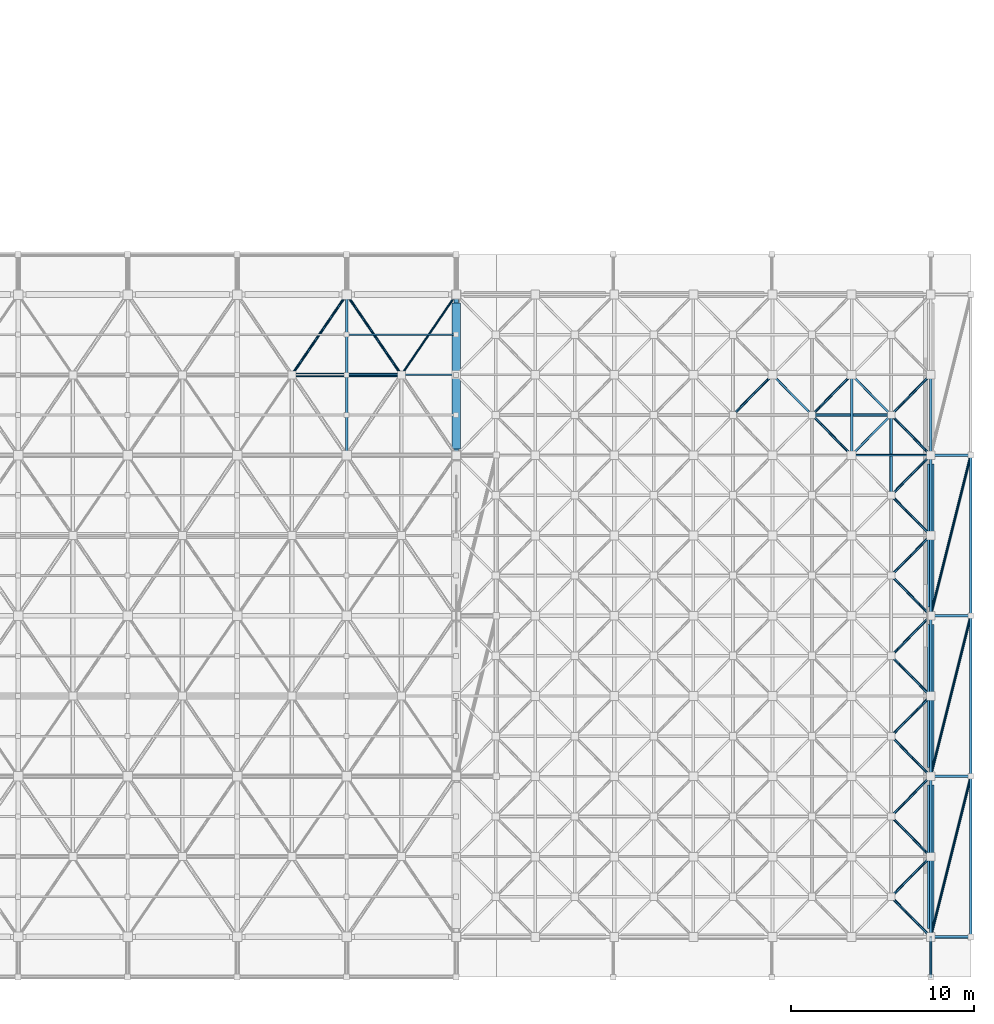
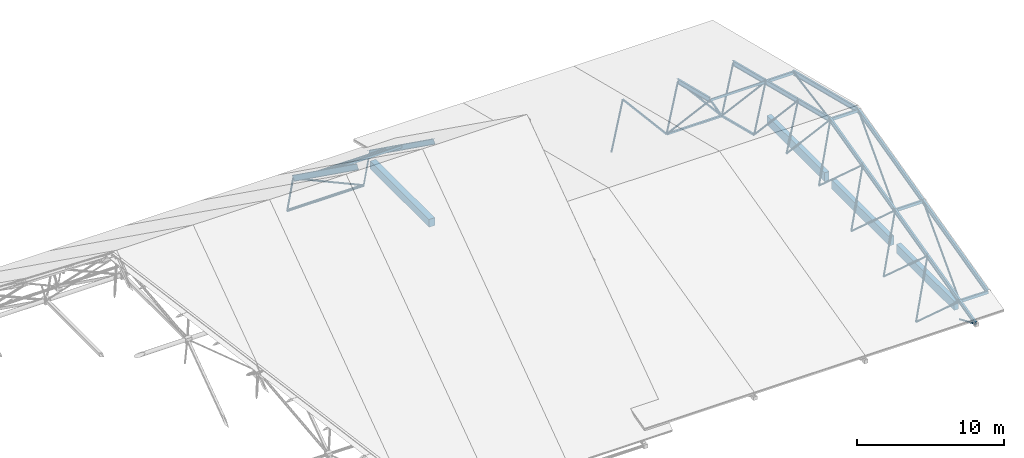
# One storey, part 31 of 55: 51 members, 4 beams.
"""IFC4 building model written with IfcOpenShell, lengths in metres."""

from ifc_helpers import new_model, si_unit, direction, frame, origin, origin_2d, place, context, subcontext, project, spatial, rectangle, hollow_rectangle, hollow_circle, i_section, extrude, material, material_profile, profile_set, type_object, element, save


model = new_model("IFC4")

# Units and contexts
model_context = context("Model", 3, precision=1e-05, world=origin(), true_north=direction((0.0, 1.0)))
body_context = subcontext(model_context, "Body", "Model", "MODEL_VIEW")
ifc_project = project(units=[si_unit("LENGTHUNIT", "METRE"), si_unit("AREAUNIT", "SQUARE_METRE"), si_unit("VOLUMEUNIT", "CUBIC_METRE"), si_unit("PLANEANGLEUNIT", "RADIAN"), si_unit("MASSUNIT", "GRAM", prefix="KILO")], contexts=[model_context])

# Site, building, storey
site_placement = place(None, origin())
site = spatial("IfcSite", under=ifc_project, at=site_placement, CompositionType="ELEMENT")
building_placement = place(site_placement, origin())
building = spatial("IfcBuilding", under=site, at=building_placement, Name="Varnakota Cinema and Media Centre", CompositionType="ELEMENT")
storey_placement = place(building_placement, frame((0.0, 0.0, 15.60009765625)))
storey = spatial("IfcBuildingStorey", under=building, at=storey_placement, Name="L04", CompositionType="ELEMENT", Elevation=15.60009765625)

# Beams
ifc_material_1 = material(Name="Concrete M35", Category="concrete")
ifc_material_profile_1 = material_profile(ifc_material_1, rectangle(XDim=0.449951171875, YDim=0.64990234375, at=origin_2d()), Name="RCB 450x650")
ifc_profile_set_1 = profile_set([ifc_material_profile_1], Name="Concrete M35")
beam_type_1 = type_object("IfcBeamType", Name="BM-RC-450x650", PredefinedType="BEAM", material=ifc_profile_set_1)
beam_1_placement = place(storey_placement, frame((135.0, 26.72509765625, -0.3251953125), z_axis=(0.0, 1.0, 0.0), x_axis=(-1.0, 0.0, 0.0)))
element("IfcBeam", 1, at=beam_1_placement, inside=storey, type_object=beam_type_1, Name="L04 girder V/4-5", PredefinedType="BEAM", context=body_context, shape_type="SweptSolid", body=[
    extrude(rectangle(XDim=0.449951171875, YDim=0.64990234375, at=origin_2d()), origin(), (0.0, 0.0, 1.0), 8.0),
])
ifc_material_2 = material(Name="Concrete M40", Category="concrete")
ifc_material_profile_2 = material_profile(ifc_material_2, rectangle(XDim=0.35009765625, YDim=0.75, at=origin_2d()), Name="RCB 350x750")
ifc_profile_set_2 = profile_set([ifc_material_profile_2], Name="Concrete M40")
beam_type_2 = type_object("IfcBeamType", Name="BM-SP-350x750", PredefinedType="SPANDREL", material=ifc_profile_set_2)
beam_2_placement = place(storey_placement, frame((161.0, 0.47509765625, -0.375), z_axis=(0.0, 1.0, 0.0), x_axis=(-1.0, 0.0, 0.0)))
element("IfcBeam", 2, at=beam_2_placement, inside=storey, type_object=beam_type_2, Name="L04 girder Y/1-2", PredefinedType="SPANDREL", context=body_context, shape_type="SweptSolid", body=[
    extrude(rectangle(XDim=0.35009765625, YDim=0.75, at=origin_2d()), origin(), (0.0, 0.0, 1.0), 7.849853515625),
])
for number, where, z_axis, x_axis, name in (
    (3, (161.0, 9.27490234375, -0.375), (0.0, 1.0, 0.0), (-1.0, 0.0, 0.0), "L04 girder Y/2-3"),
    (4, (161.0, 18.074951171875, -0.375), (0.0, 1.0, 0.0), (-1.0, 0.0, 0.0), "L04 girder Y/3-4"),
):
    element("IfcBeam", number, at=place(storey_placement, frame(where, z_axis=z_axis, x_axis=x_axis)), inside=storey, type_object=beam_type_2, Name=name, PredefinedType="SPANDREL", context=body_context, shape_type="SweptSolid", body=[
        extrude(rectangle(XDim=0.35009765625, YDim=0.75, at=origin_2d()), origin(), (0.0, 0.0, 1.0), 7.85009765625),
    ])

# Members
ifc_material_3 = material(Name="Structural steel S355 (YSt 355)", Category="steel")
ifc_material_profile_3 = material_profile(ifc_material_3, hollow_circle(Radius=0.05712890625, WallThickness=0.00537109375, at=origin_2d()), Name="CHS 114.3x5.4")
ifc_profile_set_3 = profile_set([ifc_material_profile_3], Name="Structural steel S355 (YSt 355)")
member_type_1 = type_object("IfcMemberType", Name="MEM-ST-CHS114_3x5_4", PredefinedType="BRACE", material=ifc_profile_set_3)
member_1_placement = place(storey_placement, frame((132.0, 30.800048828125, 1.349853515625), z_axis=(0.552703271274, 0.810613472892, -0.193455140767), x_axis=(-0.826221523208, 0.563345359959, 0.0)))
element("IfcMember", 5, at=member_1_placement, inside=storey, type_object=member_type_1, Name="V1 space-frame diagonal 10.4.4", PredefinedType="BRACE", context=body_context, shape_type="SweptSolid", body=[
    extrude(hollow_circle(Radius=0.05712890625, WallThickness=0.00537109375, at=origin_2d()), origin(), (0.0, 0.0, 1.0), 5.427978515625),
])
ifc_material_4 = material(Name="Structural steel S355 (YSt 355)", Category="steel")
ifc_material_profile_4 = material_profile(ifc_material_4, hollow_circle(Radius=0.06982421875, WallThickness=0.006103515625, at=origin_2d()), Name="CHS 139.7x6.0")
ifc_profile_set_4 = profile_set([ifc_material_profile_4], Name="Structural steel S355 (YSt 355)")
member_type_2 = type_object("IfcMemberType", Name="MEM-ST-CHS139_7x6_0", PredefinedType="CHORD", material=ifc_profile_set_4)
for number, where, z_axis, x_axis, name in (
    (6, (126.0, 30.800048828125, 1.349853515625), (0.552703271274, 0.810613472892, -0.193455140767), (-0.826221523208, 0.563345359959, 0.0), "V1 space-frame diagonal 9.4.4"),
    (7, (132.0, 30.800048828125, 1.349853515625), (-0.552703271274, 0.810613472892, -0.193455140767), (-0.826221523208, -0.563345359959, 0.0), "V1 space-frame diagonal 10.4.3"),
):
    element("IfcMember", number, at=place(storey_placement, frame(where, z_axis=z_axis, x_axis=x_axis)), inside=storey, type_object=member_type_2, Name=name, PredefinedType="CHORD", context=body_context, shape_type="SweptSolid", body=[
        extrude(hollow_circle(Radius=0.06982421875, WallThickness=0.006103515625, at=origin_2d()), origin(), (0.0, 0.0, 1.0), 5.427978515625),
    ])
member_2_placement = place(storey_placement, frame((150.166748046875, 28.60009765625, -0.9501953125), z_axis=(0.562704581049, 0.571391816523, 0.59739011247), x_axis=(-0.712502351494, 0.701669722246, 0.0)))
element("IfcMember", 8, at=member_2_placement, inside=storey, type_object=member_type_2, Name="V2 space-truss diagonal 4.7.4", PredefinedType="CHORD", context=body_context, shape_type="SweptSolid", body=[
    extrude(hollow_circle(Radius=0.06982421875, WallThickness=0.006103515625, at=origin_2d()), origin(), (0.0, 0.0, 1.0), 3.85009765625),
])
member_3_placement = place(storey_placement, frame((154.5, 28.60009765625, -0.9501953125), z_axis=(0.471738843265, -0.479020896395, 0.740271196638), x_axis=(0.712501750553, 0.701670332463, 0.0)))
element("IfcMember", 9, at=member_3_placement, inside=storey, type_object=member_type_2, Name="V2 space-truss diagonal 5.7.2", PredefinedType="CHORD", context=body_context, shape_type="SweptSolid", body=[
    extrude(hollow_circle(Radius=0.06982421875, WallThickness=0.006103515625, at=origin_2d()), origin(), (0.0, 0.0, 1.0), 4.593017578125),
])
for number, where, z_axis, x_axis, name in (
    (10, (154.5, 28.60009765625, -0.9501953125), (0.562747911139, 0.571371428425, 0.597368796714), (-0.712462822052, 0.701709859695, 0.0), "V2 space-truss diagonal 5.7.4"),
    (11, (158.833251953125, 2.199951171875, -2.050048828125), (0.562747911139, -0.571371428425, 0.597368796714), (0.712462822052, 0.701709859695, 0.0), "V2 space-truss diagonal 6.1.2"),
):
    element("IfcMember", number, at=place(storey_placement, frame(where, z_axis=z_axis, x_axis=x_axis)), inside=storey, type_object=member_type_2, Name=name, PredefinedType="CHORD", context=body_context, shape_type="SweptSolid", body=[
        extrude(hollow_circle(Radius=0.06982421875, WallThickness=0.006103515625, at=origin_2d()), origin(), (0.0, 0.0, 1.0), 3.850341796875),
    ])
member_4_placement = place(storey_placement, frame((158.833251953125, 2.199951171875, -2.050048828125), z_axis=(0.47176941823, 0.478998786216, 0.74026601896), x_axis=(-0.712462822052, 0.701709859695, 0.0)))
element("IfcMember", 12, at=member_4_placement, inside=storey, type_object=member_type_2, Name="V2 space-truss diagonal 6.1.4", PredefinedType="CHORD", context=body_context, shape_type="SweptSolid", body=[
    extrude(hollow_circle(Radius=0.06982421875, WallThickness=0.006103515625, at=origin_2d()), origin(), (0.0, 0.0, 1.0), 4.5927734375),
])
member_5_placement = place(storey_placement, frame((158.833251953125, 6.60009765625, -0.9501953125), z_axis=(0.56272752296, -0.571414133737, 0.597347154232), x_axis=(0.712501750553, 0.701670332463, 0.0)))
element("IfcMember", 13, at=member_5_placement, inside=storey, type_object=member_type_2, Name="V2 space-truss diagonal 6.2.2", PredefinedType="CHORD", context=body_context, shape_type="SweptSolid", body=[
    extrude(hollow_circle(Radius=0.06982421875, WallThickness=0.006103515625, at=origin_2d()), origin(), (0.0, 0.0, 1.0), 3.850341796875),
])
member_6_placement = place(storey_placement, frame((158.833251953125, 6.60009765625, -0.9501953125), z_axis=(0.47175085434, 0.478979937854, 0.740290044889), x_axis=(-0.712462822052, 0.701709859695, 0.0)))
element("IfcMember", 14, at=member_6_placement, inside=storey, type_object=member_type_2, Name="V2 space-truss diagonal 6.2.4", PredefinedType="CHORD", context=body_context, shape_type="SweptSolid", body=[
    extrude(hollow_circle(Radius=0.06982421875, WallThickness=0.006103515625, at=origin_2d()), origin(), (0.0, 0.0, 1.0), 4.593017578125),
])
member_7_placement = place(storey_placement, frame((158.833251953125, 11.0, 0.14990234375), z_axis=(0.562747911139, -0.571371428425, 0.597368796714), x_axis=(0.712462822052, 0.701709859695, 0.0)))
element("IfcMember", 15, at=member_7_placement, inside=storey, type_object=member_type_2, Name="V2 space-truss diagonal 6.3.2", PredefinedType="CHORD", context=body_context, shape_type="SweptSolid", body=[
    extrude(hollow_circle(Radius=0.06982421875, WallThickness=0.006103515625, at=origin_2d()), origin(), (0.0, 0.0, 1.0), 3.850341796875),
])
member_8_placement = place(storey_placement, frame((158.833251953125, 11.0, 0.14990234375), z_axis=(0.47176941823, 0.478998786216, 0.74026601896), x_axis=(-0.712462822052, 0.701709859695, 0.0)))
element("IfcMember", 16, at=member_8_placement, inside=storey, type_object=member_type_2, Name="V2 space-truss diagonal 6.3.4", PredefinedType="CHORD", context=body_context, shape_type="SweptSolid", body=[
    extrude(hollow_circle(Radius=0.06982421875, WallThickness=0.006103515625, at=origin_2d()), origin(), (0.0, 0.0, 1.0), 4.5927734375),
])
member_9_placement = place(storey_placement, frame((158.833251953125, 15.39990234375, 1.25), z_axis=(0.562769227034, -0.571393070964, 0.597328013371), x_axis=(0.712462822052, 0.701709859695, 0.0)))
element("IfcMember", 17, at=member_9_placement, inside=storey, type_object=member_type_2, Name="V2 space-truss diagonal 6.4.2", PredefinedType="CHORD", context=body_context, shape_type="SweptSolid", body=[
    extrude(hollow_circle(Radius=0.06982421875, WallThickness=0.006103515625, at=origin_2d()), origin(), (0.0, 0.0, 1.0), 3.85009765625),
])
member_10_placement = place(storey_placement, frame((158.833251953125, 15.39990234375, 1.25), z_axis=(0.471757405737, 0.479039745409, 0.740247169836), x_axis=(-0.712501750553, 0.701670332463, 0.0)))
element("IfcMember", 18, at=member_10_placement, inside=storey, type_object=member_type_2, Name="V2 space-truss diagonal 6.4.4", PredefinedType="CHORD", context=body_context, shape_type="SweptSolid", body=[
    extrude(hollow_circle(Radius=0.06982421875, WallThickness=0.006103515625, at=origin_2d()), origin(), (0.0, 0.0, 1.0), 4.593017578125),
])
member_11_placement = place(storey_placement, frame((158.833251953125, 19.800048828125, 1.25), z_axis=(0.47176941823, -0.478998786216, 0.74026601896), x_axis=(0.712462822052, 0.701709859695, 0.0)))
element("IfcMember", 19, at=member_11_placement, inside=storey, type_object=member_type_2, Name="V2 space-truss diagonal 6.5.2", PredefinedType="CHORD", context=body_context, shape_type="SweptSolid", body=[
    extrude(hollow_circle(Radius=0.06982421875, WallThickness=0.006103515625, at=origin_2d()), origin(), (0.0, 0.0, 1.0), 4.5927734375),
])
member_12_placement = place(storey_placement, frame((158.833251953125, 19.800048828125, 1.25), z_axis=(0.562769227034, 0.571393070964, 0.597328013371), x_axis=(-0.712462822052, 0.701709859695, 0.0)))
element("IfcMember", 20, at=member_12_placement, inside=storey, type_object=member_type_2, Name="V2 space-truss diagonal 6.5.4", PredefinedType="CHORD", context=body_context, shape_type="SweptSolid", body=[
    extrude(hollow_circle(Radius=0.06982421875, WallThickness=0.006103515625, at=origin_2d()), origin(), (0.0, 0.0, 1.0), 3.85009765625),
])
member_13_placement = place(storey_placement, frame((158.833251953125, 24.199951171875, 0.14990234375), z_axis=(0.47176941823, -0.478998786216, 0.74026601896), x_axis=(0.712462822052, 0.701709859695, 0.0)))
element("IfcMember", 21, at=member_13_placement, inside=storey, type_object=member_type_2, Name="V2 space-truss diagonal 6.6.2", PredefinedType="CHORD", context=body_context, shape_type="SweptSolid", body=[
    extrude(hollow_circle(Radius=0.06982421875, WallThickness=0.006103515625, at=origin_2d()), origin(), (0.0, 0.0, 1.0), 4.5927734375),
])
member_14_placement = place(storey_placement, frame((158.833251953125, 24.199951171875, 0.14990234375), z_axis=(0.562747911139, 0.571371428425, 0.597368796714), x_axis=(-0.712462822052, 0.701709859695, 0.0)))
element("IfcMember", 22, at=member_14_placement, inside=storey, type_object=member_type_2, Name="V2 space-truss diagonal 6.6.4", PredefinedType="CHORD", context=body_context, shape_type="SweptSolid", body=[
    extrude(hollow_circle(Radius=0.06982421875, WallThickness=0.006103515625, at=origin_2d()), origin(), (0.0, 0.0, 1.0), 3.850341796875),
])
member_15_placement = place(storey_placement, frame((158.833251953125, 28.60009765625, -0.9501953125), z_axis=(0.471738843265, -0.479020896395, 0.740271196638), x_axis=(0.712501750553, 0.701670332463, 0.0)))
element("IfcMember", 23, at=member_15_placement, inside=storey, type_object=member_type_2, Name="V2 space-truss diagonal 6.7.2", PredefinedType="CHORD", context=body_context, shape_type="SweptSolid", body=[
    extrude(hollow_circle(Radius=0.06982421875, WallThickness=0.006103515625, at=origin_2d()), origin(), (0.0, 0.0, 1.0), 4.593017578125),
])
member_16_placement = place(storey_placement, frame((158.833251953125, 28.60009765625, -0.9501953125), z_axis=(0.562747911139, 0.571371428425, 0.597368796714), x_axis=(-0.712462822052, 0.701709859695, 0.0)))
element("IfcMember", 24, at=member_16_placement, inside=storey, type_object=member_type_2, Name="V2 space-truss diagonal 6.7.4", PredefinedType="CHORD", context=body_context, shape_type="SweptSolid", body=[
    extrude(hollow_circle(Radius=0.06982421875, WallThickness=0.006103515625, at=origin_2d()), origin(), (0.0, 0.0, 1.0), 3.850341796875),
])
member_17_placement = place(storey_placement, frame((161.0, 0.0, -1.25), z_axis=(0.0, -0.918066567186, 0.396426258231), x_axis=(1.0, 0.0, 0.0)))
element("IfcMember", 25, at=member_17_placement, inside=storey, type_object=member_type_2, Name="V2 S eave raking strut 3", PredefinedType="CHORD", context=body_context, shape_type="SweptSolid", body=[
    extrude(hollow_circle(Radius=0.06982421875, WallThickness=0.006103515625, at=origin_2d()), origin(), (0.0, 0.0, 1.0), 2.396240234375),
])
for number, where, z_axis, x_axis, name in (
    (26, (161.0, 0.0, 0.25), (0.235696447825, 0.942811947827, 0.235696447825), (-0.970144083348, 0.242529292136, 0.0), "V2 East gable diagonal strut 1"),
    (27, (161.0, 8.800048828125, 2.449951171875), (0.235696447825, 0.942811947827, 0.235696447825), (-0.970144083348, 0.242529292136, 0.0), "V2 East gable diagonal strut 2"),
):
    element("IfcMember", number, at=place(storey_placement, frame(where, z_axis=z_axis, x_axis=x_axis)), inside=storey, type_object=member_type_2, Name=name, PredefinedType="CHORD", context=body_context, shape_type="SweptSolid", body=[
        extrude(hollow_circle(Radius=0.06982421875, WallThickness=0.006103515625, at=origin_2d()), origin(), (0.0, 0.0, 1.0), 9.333740234375),
    ])
member_18_placement = place(storey_placement, frame((161.0, 17.60009765625, 4.64990234375), z_axis=(0.235702260396, 0.942809041582, -0.235702260396), x_axis=(-0.970142500145, 0.242535625036, 0.0)))
element("IfcMember", 28, at=member_18_placement, inside=storey, type_object=member_type_2, Name="V2 East gable diagonal strut 3", PredefinedType="CHORD", context=body_context, shape_type="SweptSolid", body=[
    extrude(hollow_circle(Radius=0.06982421875, WallThickness=0.006103515625, at=origin_2d()), origin(), (0.0, 0.0, 1.0), 9.33349609375),
])
ifc_material_5 = material(Name="Structural steel S355 (YSt 355)", Category="steel")
ifc_material_profile_5 = material_profile(ifc_material_5, hollow_circle(Radius=0.109619140625, WallThickness=0.008056640625, at=origin_2d()), Name="CHS 219.1x8.0")
ifc_profile_set_5 = profile_set([ifc_material_profile_5], Name="Structural steel S355 (YSt 355)")
member_type_3 = type_object("IfcMemberType", Name="MEM-ST-CHS219_1x8_0", PredefinedType="BRACE", material=ifc_profile_set_5)
member_19_placement = place(storey_placement, frame((126.0, 30.800048828125, 1.349853515625), z_axis=(1.0, 0.0, 0.0), x_axis=(0.0, 1.0, 0.0)))
element("IfcMember", 29, at=member_19_placement, inside=storey, type_object=member_type_3, Name="V1 bottom longitudinal chord 9.4", PredefinedType="BRACE", context=body_context, shape_type="SweptSolid", body=[
    extrude(hollow_circle(Radius=0.109619140625, WallThickness=0.008056640625, at=origin_2d()), origin(), (0.0, 0.0, 1.0), 6.0),
])
ifc_material_6 = material(Name="Structural steel Grade 350 (E350)", Category="steel")
ifc_material_profile_6 = material_profile(ifc_material_6, i_section(OverallWidth=0.25, OverallDepth=0.39990234375, WebThickness=0.010498046875, FlangeThickness=0.0126953125, FilletRadius=0.011962890625, at=origin_2d()), Name="ISHB 400")
ifc_profile_set_6 = profile_set([ifc_material_profile_6], Name="Structural steel Grade 350 (E350)")
member_type_4 = type_object("IfcMemberType", Name="MEM-ST-ISHB400", PredefinedType="CHORD", material=ifc_profile_set_6)
member_20_placement = place(storey_placement, frame((135.0, 26.39990234375, 6.599853515625), z_axis=(0.0, 0.813108079498, -0.582112747717), x_axis=(-1.0, 0.0, 0.0)))
element("IfcMember", 30, at=member_20_placement, inside=storey, type_object=member_type_4, Name="V1 top transverse chord 11.4", PredefinedType="CHORD", context=body_context, shape_type="SweptSolid", body=[
    extrude(i_section(OverallWidth=0.25, OverallDepth=0.39990234375, WebThickness=0.010498046875, FlangeThickness=0.0126953125, FilletRadius=0.011962890625, at=origin_2d()), origin(), (0.0, 0.0, 1.0), 10.82275390625),
])
ifc_material_7 = material(Name="Structural steel Grade 350 (E350)", Category="steel")
ifc_material_profile_7 = material_profile(ifc_material_7, i_section(OverallWidth=0.139892578125, OverallDepth=0.35009765625, WebThickness=0.008056640625, FlangeThickness=0.01416015625, FilletRadius=0.013916015625, at=origin_2d()), Name="ISMB 350")
ifc_profile_set_7 = profile_set([ifc_material_profile_7], Name="Structural steel Grade 350 (E350)")
member_type_5 = type_object("IfcMemberType", Name="MEM-ST-ISMB350", PredefinedType="RAFTER", material=ifc_profile_set_7)
member_21_placement = place(storey_placement, frame((161.0, 0.0, 0.25), z_axis=(0.0, -0.970136166796, -0.242560957029), x_axis=(1.0, 0.0, 0.0)))
element("IfcMember", 31, at=member_21_placement, inside=storey, type_object=member_type_5, Name="V2 S eave overhang rafter 3", PredefinedType="RAFTER", context=body_context, shape_type="SweptSolid", body=[
    extrude(i_section(OverallWidth=0.139892578125, OverallDepth=0.35009765625, WebThickness=0.008056640625, FlangeThickness=0.01416015625, FilletRadius=0.013916015625, at=origin_2d()), origin(), (0.0, 0.0, 1.0), 2.267578125),
])
ifc_material_8 = material(Name="Structural steel Grade 350 (E350)", Category="steel")
ifc_material_profile_8 = material_profile(ifc_material_8, i_section(OverallWidth=0.139892578125, OverallDepth=0.39990234375, WebThickness=0.0087890625, FlangeThickness=0.01611328125, FilletRadius=0.013916015625, at=origin_2d()), Name="ISMB 400")
ifc_profile_set_8 = profile_set([ifc_material_profile_8], Name="Structural steel Grade 350 (E350)")
member_type_6 = type_object("IfcMemberType", Name="MEM-ST-ISMB400", PredefinedType="RAFTER", material=ifc_profile_set_8)
member_22_placement = place(storey_placement, frame((156.666748046875, 26.39990234375, 2.449951171875), z_axis=(0.0, 0.970139333719, -0.242548290392), x_axis=(-1.0, 0.0, 0.0)))
element("IfcMember", 32, at=member_22_placement, inside=storey, type_object=member_type_6, Name="V2 truss rafter 6.7", PredefinedType="RAFTER", context=body_context, shape_type="SweptSolid", body=[
    extrude(i_section(OverallWidth=0.139892578125, OverallDepth=0.39990234375, WebThickness=0.0087890625, FlangeThickness=0.01611328125, FilletRadius=0.013916015625, at=origin_2d()), origin(), (0.0, 0.0, 1.0), 4.53564453125),
])
member_23_placement = place(storey_placement, frame((161.0, 0.0, 0.25), z_axis=(0.0, 0.970148832916, 0.242510292547), x_axis=(-1.0, 0.0, 0.0)))
element("IfcMember", 33, at=member_23_placement, inside=storey, type_object=member_type_6, Name="V2 truss rafter 7.1", PredefinedType="RAFTER", context=body_context, shape_type="SweptSolid", body=[
    extrude(i_section(OverallWidth=0.139892578125, OverallDepth=0.39990234375, WebThickness=0.0087890625, FlangeThickness=0.01611328125, FilletRadius=0.013916015625, at=origin_2d()), origin(), (0.0, 0.0, 1.0), 4.535400390625),
])
member_24_placement = place(storey_placement, frame((161.0, 4.39990234375, 1.349853515625), z_axis=(0.0, 0.970139333719, 0.242548290392), x_axis=(-1.0, 0.0, 0.0)))
element("IfcMember", 34, at=member_24_placement, inside=storey, type_object=member_type_6, Name="V2 truss rafter 7.2", PredefinedType="RAFTER", context=body_context, shape_type="SweptSolid", body=[
    extrude(i_section(OverallWidth=0.139892578125, OverallDepth=0.39990234375, WebThickness=0.0087890625, FlangeThickness=0.01611328125, FilletRadius=0.013916015625, at=origin_2d()), origin(), (0.0, 0.0, 1.0), 4.53564453125),
])
member_25_placement = place(storey_placement, frame((161.0, 8.800048828125, 2.449951171875), z_axis=(0.0, 0.970148832916, 0.242510292547), x_axis=(-1.0, 0.0, 0.0)))
element("IfcMember", 35, at=member_25_placement, inside=storey, type_object=member_type_6, Name="V2 truss rafter 7.3", PredefinedType="RAFTER", context=body_context, shape_type="SweptSolid", body=[
    extrude(i_section(OverallWidth=0.139892578125, OverallDepth=0.39990234375, WebThickness=0.0087890625, FlangeThickness=0.01611328125, FilletRadius=0.013916015625, at=origin_2d()), origin(), (0.0, 0.0, 1.0), 4.535400390625),
])
member_26_placement = place(storey_placement, frame((161.0, 13.199951171875, 3.5498046875), z_axis=(0.0, 0.970139333719, 0.242548290392), x_axis=(-1.0, 0.0, 0.0)))
element("IfcMember", 36, at=member_26_placement, inside=storey, type_object=member_type_6, Name="V2 truss rafter 7.4", PredefinedType="RAFTER", context=body_context, shape_type="SweptSolid", body=[
    extrude(i_section(OverallWidth=0.139892578125, OverallDepth=0.39990234375, WebThickness=0.0087890625, FlangeThickness=0.01611328125, FilletRadius=0.013916015625, at=origin_2d()), origin(), (0.0, 0.0, 1.0), 4.53564453125),
])
for number, where, z_axis, x_axis, name in (
    (37, (161.0, 17.60009765625, 4.64990234375), (0.0, 0.970136166796, -0.242560957029), (-1.0, 0.0, 0.0), "V2 truss rafter 7.5"),
    (38, (161.0, 22.0, 3.5498046875), (0.0, 0.970148832916, -0.242510292547), (-1.0, 0.0, 0.0), "V2 truss rafter 7.6"),
):
    element("IfcMember", number, at=place(storey_placement, frame(where, z_axis=z_axis, x_axis=x_axis)), inside=storey, type_object=member_type_6, Name=name, PredefinedType="RAFTER", context=body_context, shape_type="SweptSolid", body=[
        extrude(i_section(OverallWidth=0.139892578125, OverallDepth=0.39990234375, WebThickness=0.0087890625, FlangeThickness=0.01611328125, FilletRadius=0.013916015625, at=origin_2d()), origin(), (0.0, 0.0, 1.0), 4.535400390625),
    ])
member_27_placement = place(storey_placement, frame((161.0, 26.39990234375, 2.449951171875), z_axis=(0.0, 0.970139333719, -0.242548290392), x_axis=(-1.0, 0.0, 0.0)))
element("IfcMember", 39, at=member_27_placement, inside=storey, type_object=member_type_6, Name="V2 truss rafter 7.7", PredefinedType="RAFTER", context=body_context, shape_type="SweptSolid", body=[
    extrude(i_section(OverallWidth=0.139892578125, OverallDepth=0.39990234375, WebThickness=0.0087890625, FlangeThickness=0.01611328125, FilletRadius=0.013916015625, at=origin_2d()), origin(), (0.0, 0.0, 1.0), 4.53564453125),
])
for number, where, z_axis, x_axis, name in (
    (40, (163.199951171875, 0.0, 0.25), (0.0, 0.970144083348, 0.242529292136), (-1.0, 0.0, 0.0), "V2 East gable barge rafter 1"),
    (41, (163.199951171875, 8.800048828125, 2.449951171875), (0.0, 0.970144083348, 0.242529292136), (-1.0, 0.0, 0.0), "V2 East gable barge rafter 2"),
):
    element("IfcMember", number, at=place(storey_placement, frame(where, z_axis=z_axis, x_axis=x_axis)), inside=storey, type_object=member_type_6, Name=name, PredefinedType="RAFTER", context=body_context, shape_type="SweptSolid", body=[
        extrude(i_section(OverallWidth=0.139892578125, OverallDepth=0.39990234375, WebThickness=0.0087890625, FlangeThickness=0.01611328125, FilletRadius=0.013916015625, at=origin_2d()), origin(), (0.0, 0.0, 1.0), 9.07080078125),
    ])
member_28_placement = place(storey_placement, frame((163.199951171875, 17.60009765625, 4.64990234375), z_axis=(0.0, 0.970142500145, -0.242535625036), x_axis=(-1.0, 0.0, 0.0)))
element("IfcMember", 42, at=member_28_placement, inside=storey, type_object=member_type_6, Name="V2 East gable barge rafter 3", PredefinedType="RAFTER", context=body_context, shape_type="SweptSolid", body=[
    extrude(i_section(OverallWidth=0.139892578125, OverallDepth=0.39990234375, WebThickness=0.0087890625, FlangeThickness=0.01611328125, FilletRadius=0.013916015625, at=origin_2d()), origin(), (0.0, 0.0, 1.0), 9.070556640625),
])
ifc_material_9 = material(Name="Structural steel Grade 350 (E350)", Category="steel")
ifc_material_profile_9 = material_profile(ifc_material_9, i_section(OverallWidth=0.14990234375, OverallDepth=0.449951171875, WebThickness=0.009521484375, FlangeThickness=0.017333984375, FilletRadius=0.014892578125, at=origin_2d()), Name="ISMB 450")
ifc_profile_set_9 = profile_set([ifc_material_profile_9], Name="Structural steel Grade 350 (E350)")
member_type_7 = type_object("IfcMemberType", Name="MEM-ST-ISMB450", PredefinedType="RAFTER", material=ifc_profile_set_9)
member_29_placement = place(storey_placement, frame((129.0, 26.39990234375, 6.599853515625), z_axis=(0.0, 0.813108079498, -0.582112747717), x_axis=(-1.0, 0.0, 0.0)))
element("IfcMember", 43, at=member_29_placement, inside=storey, type_object=member_type_7, Name="V1 top transverse chord 10.4", PredefinedType="RAFTER", context=body_context, shape_type="SweptSolid", body=[
    extrude(i_section(OverallWidth=0.14990234375, OverallDepth=0.449951171875, WebThickness=0.009521484375, FlangeThickness=0.017333984375, FilletRadius=0.014892578125, at=origin_2d()), origin(), (0.0, 0.0, 1.0), 10.82275390625),
])
ifc_material_10 = material(Name="Structural steel S355 (YSt 355)", Category="steel")
ifc_material_profile_10 = material_profile(ifc_material_10, hollow_rectangle(XDim=0.10009765625, YDim=0.14990234375, WallThickness=0.006103515625, InnerFilletRadius=0.006103515625, OuterFilletRadius=0.011962890625, at=origin_2d()), Name="RHS 150x100x6")
ifc_profile_set_10 = profile_set([ifc_material_profile_10], Name="Structural steel S355 (YSt 355)")
member_type_8 = type_object("IfcMemberType", Name="MEM-ST-RHS150x100x6", PredefinedType="PURLIN", material=ifc_profile_set_10)
member_30_placement = place(storey_placement, frame((129.0, 33.0, 1.954833984375), z_axis=(1.0, 0.0, 0.0), x_axis=(0.0, 1.0, 0.0)))
element("IfcMember", 44, at=member_30_placement, inside=storey, type_object=member_type_8, Name="V1 roof purlin 12.10", PredefinedType="PURLIN", context=body_context, shape_type="SweptSolid", body=[
    extrude(hollow_rectangle(XDim=0.10009765625, YDim=0.14990234375, WallThickness=0.006103515625, InnerFilletRadius=0.006103515625, OuterFilletRadius=0.011962890625, at=origin_2d()), origin(), (0.0, 0.0, 1.0), 6.0),
])
ifc_material_11 = material(Name="Structural steel S355 (YSt 355)", Category="steel")
ifc_material_profile_11 = material_profile(ifc_material_11, hollow_rectangle(XDim=0.10009765625, YDim=0.199951171875, WallThickness=0.006103515625, InnerFilletRadius=0.006103515625, OuterFilletRadius=0.011962890625, at=origin_2d()), Name="RHS 200x100x6")
ifc_profile_set_11 = profile_set([ifc_material_profile_11], Name="Structural steel S355 (YSt 355)")
member_type_9 = type_object("IfcMemberType", Name="MEM-ST-RHS200x100x6", PredefinedType="PURLIN", material=ifc_profile_set_11)
member_31_placement = place(storey_placement, frame((129.0, 30.800048828125, 3.52978515625), z_axis=(1.0, 0.0, 0.0), x_axis=(0.0, 1.0, 0.0)))
element("IfcMember", 45, at=member_31_placement, inside=storey, type_object=member_type_9, Name="V1 roof purlin 11.10", PredefinedType="PURLIN", context=body_context, shape_type="SweptSolid", body=[
    extrude(hollow_rectangle(XDim=0.10009765625, YDim=0.199951171875, WallThickness=0.006103515625, InnerFilletRadius=0.006103515625, OuterFilletRadius=0.011962890625, at=origin_2d()), origin(), (0.0, 0.0, 1.0), 6.0),
])
member_32_placement = place(storey_placement, frame((156.666748046875, 26.39990234375, 2.449951171875), z_axis=(1.0, 0.0, 0.0), x_axis=(0.0, 1.0, 0.0)))
element("IfcMember", 46, at=member_32_placement, inside=storey, type_object=member_type_9, Name="V2 top chord 6.7", PredefinedType="PURLIN", context=body_context, shape_type="SweptSolid", body=[
    extrude(hollow_rectangle(XDim=0.10009765625, YDim=0.199951171875, WallThickness=0.006103515625, InnerFilletRadius=0.006103515625, OuterFilletRadius=0.011962890625, at=origin_2d()), origin(), (0.0, 0.0, 1.0), 4.333251953125),
])
ifc_material_12 = material(Name="Structural steel S355 (YSt 355)", Category="steel")
ifc_material_profile_12 = material_profile(ifc_material_12, hollow_rectangle(XDim=0.14990234375, YDim=0.25, WallThickness=0.008056640625, InnerFilletRadius=0.008056640625, OuterFilletRadius=0.01611328125, at=origin_2d()), Name="RHS 250x150x8")
ifc_profile_set_12 = profile_set([ifc_material_profile_12], Name="Structural steel S355 (YSt 355)")
member_type_10 = type_object("IfcMemberType", Name="MEM-ST-RHS250x150x8", PredefinedType="PURLIN", material=ifc_profile_set_12)
for number, where, z_axis, x_axis, name in (
    (47, (161.0, 0.0, 0.25), (1.0, 0.0, 0.0), (0.0, 1.0, 0.0), "V2 East gable space-truss outrigger 1"),
    (48, (161.0, 8.800048828125, 2.449951171875), (1.0, 0.0, 0.0), (0.0, 1.0, 0.0), "V2 East gable space-truss outrigger 2"),
    (49, (161.0, 17.60009765625, 4.64990234375), (1.0, 0.0, 0.0), (0.0, 1.0, 0.0), "V2 East gable space-truss outrigger 3"),
    (50, (161.0, 26.39990234375, 2.449951171875), (1.0, 0.0, 0.0), (0.0, 1.0, 0.0), "V2 East gable space-truss outrigger 4"),
):
    element("IfcMember", number, at=place(storey_placement, frame(where, z_axis=z_axis, x_axis=x_axis)), inside=storey, type_object=member_type_10, Name=name, PredefinedType="PURLIN", context=body_context, shape_type="SweptSolid", body=[
        extrude(hollow_rectangle(XDim=0.14990234375, YDim=0.25, WallThickness=0.008056640625, InnerFilletRadius=0.008056640625, OuterFilletRadius=0.01611328125, at=origin_2d()), origin(), (0.0, 0.0, 1.0), 2.199951171875),
    ])
ifc_material_13 = material(Name="Structural steel S355 (YSt 355)", Category="steel")
ifc_material_profile_13 = material_profile(ifc_material_13, hollow_rectangle(XDim=0.1201171875, YDim=0.1201171875, WallThickness=0.006103515625, InnerFilletRadius=0.006103515625, OuterFilletRadius=0.011962890625, at=origin_2d()), Name="SHS 120x120x6")
ifc_profile_set_13 = profile_set([ifc_material_profile_13], Name="Structural steel S355 (YSt 355)")
member_type_11 = type_object("IfcMemberType", Name="MEM-ST-SHS120x120x6", PredefinedType="STRUT", material=ifc_profile_set_13)
member_33_placement = place(storey_placement, frame((154.5, 28.60009765625, -0.9501953125), z_axis=(-0.562747911139, 0.571371428425, 0.597368796714), x_axis=(-0.712462822052, -0.701709859695, 0.0)))
element("IfcMember", 51, at=member_33_placement, inside=storey, type_object=member_type_11, Name="V2 space-truss diagonal 5.7.3", PredefinedType="STRUT", context=body_context, shape_type="SweptSolid", body=[
    extrude(hollow_rectangle(XDim=0.1201171875, YDim=0.1201171875, WallThickness=0.006103515625, InnerFilletRadius=0.006103515625, OuterFilletRadius=0.011962890625, at=origin_2d()), origin(), (0.0, 0.0, 1.0), 3.850341796875),
])
member_34_placement = place(storey_placement, frame((158.833251953125, 28.60009765625, -0.9501953125), z_axis=(-0.471697516726, -0.479032907453, 0.740289758333), x_axis=(0.7125412777, -0.701630192889, 0.0)))
element("IfcMember", 52, at=member_34_placement, inside=storey, type_object=member_type_11, Name="V2 space-truss diagonal 6.7.1", PredefinedType="STRUT", context=body_context, shape_type="SweptSolid", body=[
    extrude(hollow_rectangle(XDim=0.1201171875, YDim=0.1201171875, WallThickness=0.006103515625, InnerFilletRadius=0.006103515625, OuterFilletRadius=0.011962890625, at=origin_2d()), origin(), (0.0, 0.0, 1.0), 4.593017578125),
])
member_35_placement = place(storey_placement, frame((158.833251953125, 28.60009765625, -0.9501953125), z_axis=(-0.562704581049, 0.571391816523, 0.59739011247), x_axis=(-0.712502351494, -0.701669722246, 0.0)))
element("IfcMember", 53, at=member_35_placement, inside=storey, type_object=member_type_11, Name="V2 space-truss diagonal 6.7.3", PredefinedType="STRUT", context=body_context, shape_type="SweptSolid", body=[
    extrude(hollow_rectangle(XDim=0.1201171875, YDim=0.1201171875, WallThickness=0.006103515625, InnerFilletRadius=0.006103515625, OuterFilletRadius=0.011962890625, at=origin_2d()), origin(), (0.0, 0.0, 1.0), 3.85009765625),
])
ifc_material_14 = material(Name="Structural steel S355 (YSt 355)", Category="steel")
ifc_material_profile_14 = material_profile(ifc_material_14, hollow_rectangle(XDim=0.14990234375, YDim=0.14990234375, WallThickness=0.008056640625, InnerFilletRadius=0.008056640625, OuterFilletRadius=0.01611328125, at=origin_2d()), Name="SHS 150x150x8")
ifc_profile_set_14 = profile_set([ifc_material_profile_14], Name="Structural steel S355 (YSt 355)")
member_type_12 = type_object("IfcMemberType", Name="MEM-ST-SHS150x150x8", PredefinedType="STRUT", material=ifc_profile_set_14)
member_36_placement = place(storey_placement, frame((154.5, 28.60009765625, -0.9501953125), z_axis=(1.0, 0.0, 0.0), x_axis=(0.0, 1.0, 0.0)))
element("IfcMember", 54, at=member_36_placement, inside=storey, type_object=member_type_12, Name="V2 bottom longitudinal chord 5.7", PredefinedType="STRUT", context=body_context, shape_type="SweptSolid", body=[
    extrude(hollow_rectangle(XDim=0.14990234375, YDim=0.14990234375, WallThickness=0.008056640625, InnerFilletRadius=0.008056640625, OuterFilletRadius=0.01611328125, at=origin_2d()), origin(), (0.0, 0.0, 1.0), 4.333251953125),
])
member_37_placement = place(storey_placement, frame((158.833251953125, 24.199951171875, 0.14990234375), z_axis=(0.0, 0.970139333719, -0.242548290392), x_axis=(-1.0, 0.0, 0.0)))
element("IfcMember", 55, at=member_37_placement, inside=storey, type_object=member_type_12, Name="V2 bottom transverse chord 6.6", PredefinedType="STRUT", context=body_context, shape_type="SweptSolid", body=[
    extrude(hollow_rectangle(XDim=0.14990234375, YDim=0.14990234375, WallThickness=0.008056640625, InnerFilletRadius=0.008056640625, OuterFilletRadius=0.01611328125, at=origin_2d()), origin(), (0.0, 0.0, 1.0), 4.53564453125),
])

save(model, "model.ifc")
